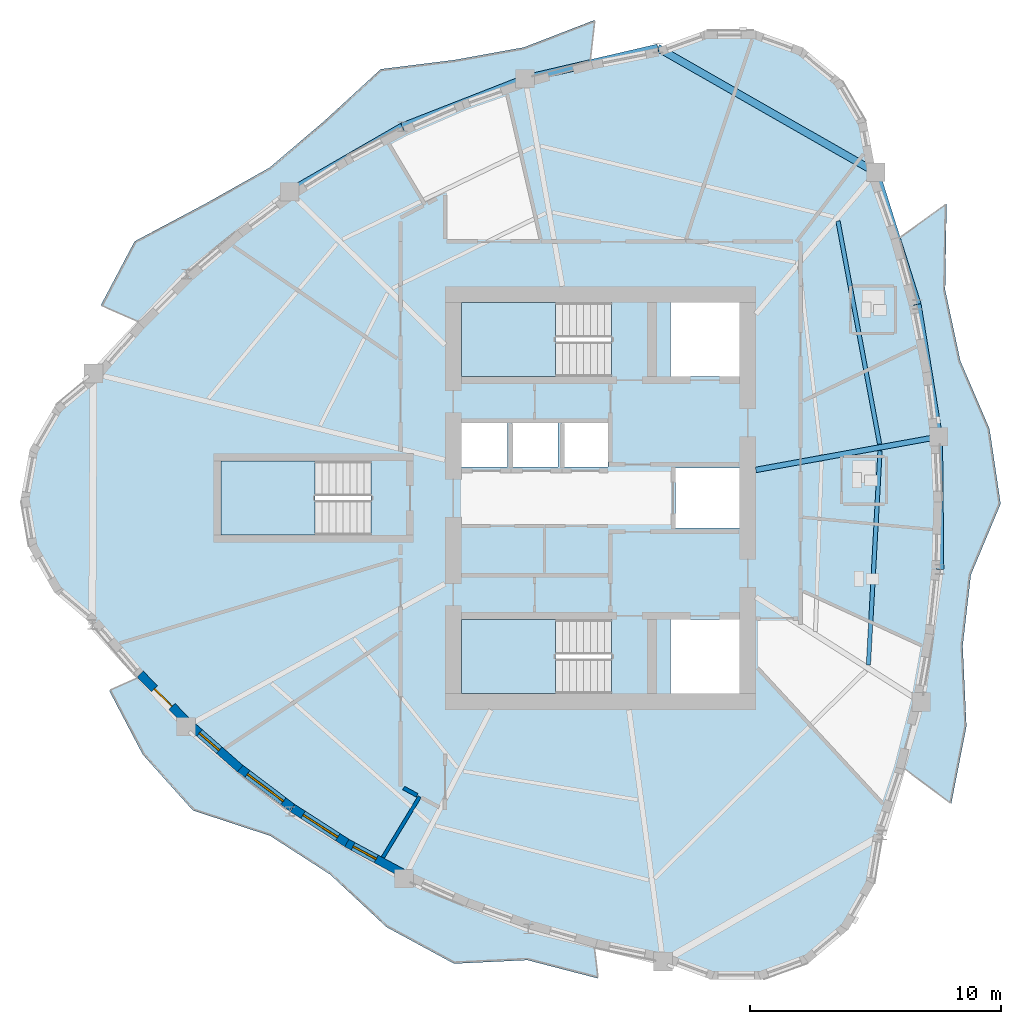
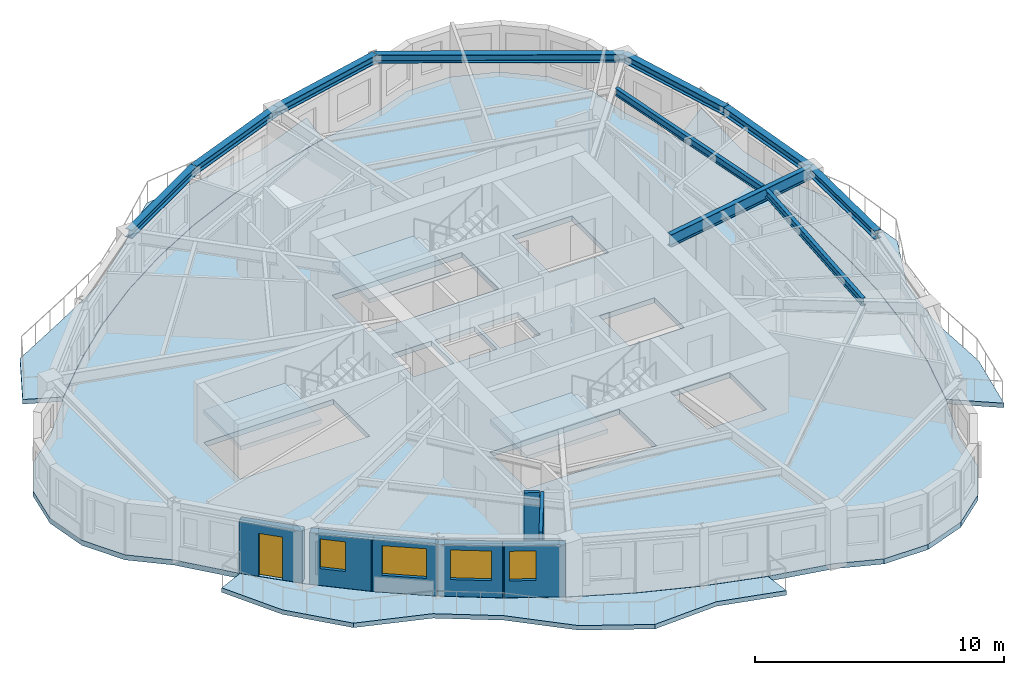
# One storey, part 2 of 12: 10 beams, 7 slabs, 7 walls, 4 windows, 1 door, 5 openings, 3 elements without a shape of their own.
"""IFC4 building model written with IfcOpenShell, lengths in metres."""

from ifc_helpers import new_model, si_unit, direction, frame, frame_2d, origin, origin_2d, place, context, subcontext, project, spatial, polyline, rectangle, i_section, outline, extrude, source, transform, mapped, material, layer, layer_set, material_profile, profile_set, type_object, element, fill, aggregate, save


model = new_model("IFC4")

# Units and contexts
model_context = context("Model", 3, precision=1e-05, world=origin(), true_north=direction((0.0, 1.0)))
body_context = subcontext(model_context, "Body", "Model", "MODEL_VIEW")
ifc_project = project(units=[si_unit("LENGTHUNIT", "METRE"), si_unit("AREAUNIT", "SQUARE_METRE"), si_unit("VOLUMEUNIT", "CUBIC_METRE"), si_unit("PLANEANGLEUNIT", "RADIAN"), si_unit("MASSUNIT", "GRAM", prefix="KILO")], contexts=[model_context])

# Site, building, storey
site_placement = place(None, origin())
site = spatial("IfcSite", under=ifc_project, at=site_placement, CompositionType="ELEMENT")
building_placement = place(site_placement, origin())
building = spatial("IfcBuilding", under=site, at=building_placement, Name="Qafzar Sky-Pleat Residences", CompositionType="ELEMENT")
storey_placement = place(building_placement, frame((0.0, 0.0, 142.60009765625)))
storey = spatial("IfcBuildingStorey", under=building, at=storey_placement, Name="L42", CompositionType="ELEMENT", Elevation=142.60009765625)

# Beams
ifc_material_1 = material(Name="Steel S355", Category="steel")
ifc_material_profile_1 = material_profile(ifc_material_1, i_section(OverallWidth=0.300048828125, OverallDepth=0.39990234375, WebThickness=0.013427734375, FlangeThickness=0.02392578125, FilletRadius=0.027099609375, at=origin_2d()), Name="HEB 400")
ifc_profile_set_1 = profile_set([ifc_material_profile_1], Name="Steel S355")
beam_type_1 = type_object("IfcBeamType", Name="BM-SPAN-HEB400", PredefinedType="SPANDREL", material=ifc_profile_set_1)
shared_shape_1 = source(origin(), body_context, "Body", "SweptSolid", [
    extrude(i_section(OverallWidth=0.300048828125, OverallDepth=0.39990234375, WebThickness=0.013427734375, FlangeThickness=0.02392578125, FilletRadius=0.027099609375, at=origin_2d()), origin(), (0.0, 0.0, 1.0), 10.017822265625),
])
beam_1_placement = place(storey_placement, frame((41.33837890625, 39.002197265625, 2.747802734375), z_axis=(-0.868424551826, 0.495821336558, 0.0), x_axis=(-0.495821336558, -0.868424551826, 0.0)))
element("IfcBeam", 1, at=beam_1_placement, inside=storey, type_object=beam_type_1, Name="L42 Perimeter Spandrel Beam 13", PredefinedType="SPANDREL", context=body_context, shape_type="MappedRepresentation", body=[
    mapped(shared_shape_1, transform((0.0, 0.0, 0.0), x_axis=(1.0, 0.0, 0.0), y_axis=(0.0, 1.0, 0.0), z_axis=(0.0, 0.0, 1.0), scale=1.0)),
])
shared_shape_2 = source(origin(), body_context, "Body", "SweptSolid", [
    extrude(i_section(OverallWidth=0.300048828125, OverallDepth=0.39990234375, WebThickness=0.013427734375, FlangeThickness=0.02392578125, FilletRadius=0.027099609375, at=origin_2d()), origin(), (0.0, 0.0, 1.0), 5.5283203125),
])
beam_2_placement = place(storey_placement, frame((42.997314453125, 33.728759765625, 2.747802734375), z_axis=(-0.300084966568, 0.953912476509, 0.0), x_axis=(-0.953912476509, -0.300084966568, 0.0)))
element("IfcBeam", 2, at=beam_2_placement, inside=storey, type_object=beam_type_1, Name="L42 Perimeter Spandrel Beam 12", PredefinedType="SPANDREL", context=body_context, shape_type="MappedRepresentation", body=[
    mapped(shared_shape_2, transform((0.0, 0.0, 0.0), x_axis=(1.0, 0.0, 0.0), y_axis=(0.0, 1.0, 0.0), z_axis=(0.0, 0.0, 1.0), scale=1.0)),
])
shared_shape_3 = source(origin(), body_context, "Body", "SweptSolid", [
    extrude(i_section(OverallWidth=0.300048828125, OverallDepth=0.39990234375, WebThickness=0.013427734375, FlangeThickness=0.02392578125, FilletRadius=0.027099609375, at=origin_2d()), origin(), (0.0, 0.0, 1.0), 5.289306640625),
])
beam_3_placement = place(storey_placement, frame((43.9033203125, 23.158203125, 2.747802734375), z_axis=(-0.009646892298, 0.999953467652, 0.0), x_axis=(-0.999953467652, -0.009646892298, 0.0)))
element("IfcBeam", 3, at=beam_3_placement, inside=storey, type_object=beam_type_1, Name="L42 Perimeter Spandrel Beam 10", PredefinedType="SPANDREL", context=body_context, shape_type="MappedRepresentation", body=[
    mapped(shared_shape_3, transform((0.0, 0.0, 0.0), x_axis=(1.0, 0.0, 0.0), y_axis=(0.0, 1.0, 0.0), z_axis=(0.0, 0.0, 1.0), scale=1.0)),
])
shared_shape_4 = source(origin(), body_context, "Body", "SweptSolid", [
    extrude(i_section(OverallWidth=0.300048828125, OverallDepth=0.39990234375, WebThickness=0.013427734375, FlangeThickness=0.02392578125, FilletRadius=0.027099609375, at=origin_2d()), origin(), (0.0, 0.0, 1.0), 5.350341796875),
])
beam_4_placement = place(storey_placement, frame((43.852294921875, 28.447265625, 2.747802734375), z_axis=(-0.159801974691, 0.987149091518, 0.0), x_axis=(-0.987149091518, -0.159801974691, 0.0)))
element("IfcBeam", 4, at=beam_4_placement, inside=storey, type_object=beam_type_1, Name="L42 Perimeter Spandrel Beam 11", PredefinedType="SPANDREL", context=body_context, shape_type="MappedRepresentation", body=[
    mapped(shared_shape_4, transform((0.0, 0.0, 0.0), x_axis=(1.0, 0.0, 0.0), y_axis=(0.0, 1.0, 0.0), z_axis=(0.0, 0.0, 1.0), scale=1.0)),
])
shared_shape_5 = source(origin(), body_context, "Body", "SweptSolid", [
    extrude(i_section(OverallWidth=0.300048828125, OverallDepth=0.39990234375, WebThickness=0.013427734375, FlangeThickness=0.02392578125, FilletRadius=0.027099609375, at=origin_2d()), origin(), (0.0, 0.0, 1.0), 5.435791015625),
])
beam_5_placement = place(storey_placement, frame((32.638671875, 43.96923828125, 2.747802734375), z_axis=(-0.974010561903, -0.22650259447, 0.0), x_axis=(0.22650259447, -0.974010561903, 0.0)))
element("IfcBeam", 5, at=beam_5_placement, inside=storey, type_object=beam_type_1, Name="L42 Perimeter Spandrel Beam 14", PredefinedType="SPANDREL", context=body_context, shape_type="MappedRepresentation", body=[
    mapped(shared_shape_5, transform((0.0, 0.0, 0.0), x_axis=(1.0, 0.0, 0.0), y_axis=(0.0, 1.0, 0.0), z_axis=(0.0, 0.0, 1.0), scale=1.0)),
])
shared_shape_6 = source(origin(), body_context, "Body", "SweptSolid", [
    extrude(i_section(OverallWidth=0.300048828125, OverallDepth=0.39990234375, WebThickness=0.013427734375, FlangeThickness=0.02392578125, FilletRadius=0.027099609375, at=origin_2d()), origin(), (0.0, 0.0, 1.0), 5.260498046875),
])
beam_6_placement = place(storey_placement, frame((27.34423828125, 42.738037109375, 2.747802734375), z_axis=(-0.931326294743, -0.364185849148, 0.0), x_axis=(0.364185849148, -0.931326294743, 0.0)))
element("IfcBeam", 6, at=beam_6_placement, inside=storey, type_object=beam_type_1, Name="L42 Perimeter Spandrel Beam 15", PredefinedType="SPANDREL", context=body_context, shape_type="MappedRepresentation", body=[
    mapped(shared_shape_6, transform((0.0, 0.0, 0.0), x_axis=(1.0, 0.0, 0.0), y_axis=(0.0, 1.0, 0.0), z_axis=(0.0, 0.0, 1.0), scale=1.0)),
])
shared_shape_7 = source(origin(), body_context, "Body", "SweptSolid", [
    extrude(i_section(OverallWidth=0.300048828125, OverallDepth=0.39990234375, WebThickness=0.013427734375, FlangeThickness=0.02392578125, FilletRadius=0.027099609375, at=origin_2d()), origin(), (0.0, 0.0, 1.0), 5.200927734375),
])
beam_7_placement = place(storey_placement, frame((22.445068359375, 40.822265625, 2.747802734375), z_axis=(-0.866036280653, -0.499981160238, 0.0), x_axis=(0.499981160238, -0.866036280653, 0.0)))
element("IfcBeam", 7, at=beam_7_placement, inside=storey, type_object=beam_type_1, Name="L42 Perimeter Spandrel Beam 16", PredefinedType="SPANDREL", context=body_context, shape_type="MappedRepresentation", body=[
    mapped(shared_shape_7, transform((0.0, 0.0, 0.0), x_axis=(1.0, 0.0, 0.0), y_axis=(0.0, 1.0, 0.0), z_axis=(0.0, 0.0, 1.0), scale=1.0)),
])
ifc_material_profile_2 = material_profile(ifc_material_1, i_section(OverallWidth=0.219970703125, OverallDepth=0.60009765625, WebThickness=0.011962890625, FlangeThickness=0.01904296875, FilletRadius=0.02392578125, at=origin_2d()), Name="IPE 600")
ifc_profile_set_2 = profile_set([ifc_material_profile_2], Name="Steel S355")
beam_type_2 = type_object("IfcBeamType", Name="BM-SEC-IPE600", PredefinedType="BEAM", material=ifc_profile_set_2)
shared_shape_8 = source(origin(), body_context, "Body", "SweptSolid", [
    extrude(i_section(OverallWidth=0.219970703125, OverallDepth=0.60009765625, WebThickness=0.011962890625, FlangeThickness=0.01904296875, FilletRadius=0.02392578125, at=origin_2d()), origin(), (0.0, 0.0, 1.0), 7.421142578125),
])
beam_8_placement = place(storey_placement, frame((43.852294921875, 28.447265625, 2.64794921875), z_axis=(-0.983969240504, -0.178338256529, 0.0), x_axis=(0.178338256529, -0.983969240504, 0.0)))
element("IfcBeam", 8, at=beam_8_placement, inside=storey, type_object=beam_type_2, Name="L42 Radial Floor Girder 11", PredefinedType="BEAM", context=body_context, shape_type="MappedRepresentation", body=[
    mapped(shared_shape_8, transform((0.0, 0.0, 0.0), x_axis=(1.0, 0.0, 0.0), y_axis=(0.0, 1.0, 0.0), z_axis=(0.0, 0.0, 1.0), scale=1.0)),
])
ifc_material_profile_3 = material_profile(ifc_material_1, i_section(OverallWidth=0.169921875, OverallDepth=0.360107421875, WebThickness=0.008056640625, FlangeThickness=0.0126953125, FilletRadius=0.01806640625, at=origin_2d()), Name="IPE 360")
ifc_profile_set_3 = profile_set([ifc_material_profile_3], Name="Steel S355")
beam_type_3 = type_object("IfcBeamType", Name="BM-JST-IPE360", PredefinedType="JOIST", material=ifc_profile_set_3)
shared_shape_9 = source(origin(), body_context, "Body", "SweptSolid", [
    extrude(i_section(OverallWidth=0.169921875, OverallDepth=0.360107421875, WebThickness=0.008056640625, FlangeThickness=0.0126953125, FilletRadius=0.01806640625, at=origin_2d()), origin(), (0.0, 0.0, 1.0), 8.562255859375),
])
beam_9_placement = place(storey_placement, frame((41.04541015625, 19.339111328125, 2.767822265625), z_axis=(0.054061317053, 0.998537617718, 0.0), x_axis=(-0.998537617718, 0.054061317053, 0.0)))
element("IfcBeam", 9, at=beam_9_placement, inside=storey, type_object=beam_type_3, Name="L42 Outer Secondary Floor Joist 5", PredefinedType="JOIST", context=body_context, shape_type="MappedRepresentation", body=[
    mapped(shared_shape_9, transform((0.0, 0.0, 0.0), x_axis=(1.0, 0.0, 0.0), y_axis=(0.0, 1.0, 0.0), z_axis=(0.0, 0.0, 1.0), scale=1.0)),
])
shared_shape_10 = source(origin(), body_context, "Body", "SweptSolid", [
    extrude(i_section(OverallWidth=0.169921875, OverallDepth=0.360107421875, WebThickness=0.008056640625, FlangeThickness=0.0126953125, FilletRadius=0.01806640625, at=origin_2d()), origin(), (0.0, 0.0, 1.0), 9.053466796875),
])
beam_10_placement = place(storey_placement, frame((41.49072265625, 28.156494140625, 2.767822265625), z_axis=(-0.18334735969, 0.983048190932, 0.0), x_axis=(-0.983048190932, -0.18334735969, 0.0)))
element("IfcBeam", 10, at=beam_10_placement, inside=storey, type_object=beam_type_3, Name="L42 Outer Secondary Floor Joist 6", PredefinedType="JOIST", context=body_context, shape_type="MappedRepresentation", body=[
    mapped(shared_shape_10, transform((0.0, 0.0, 0.0), x_axis=(1.0, 0.0, 0.0), y_axis=(0.0, 1.0, 0.0), z_axis=(0.0, 0.0, 1.0), scale=1.0)),
])

# Slabs
ifc_material_2 = material(Name="Concrete C40/50", Category="concrete")
ifc_layer_1 = layer(ifc_material_2, 0.219970703125)
ifc_layer_set_1 = layer_set([ifc_layer_1], Name="Concrete C40/50")
slab_type_1 = type_object("IfcSlabType", Name="SLAB-BAL-220", PredefinedType="USERDEFINED", material=ifc_layer_set_1)
slab_1_placement = place(storey_placement, frame((0.0, 0.0, -0.22021484375)))
element("IfcSlab", 11, at=slab_1_placement, inside=storey, type_object=slab_type_1, Name="L42 Pleated Stone Balcony 1", ObjectType="BALCONY", PredefinedType="USERDEFINED", context=body_context, shape_type="SweptSolid", body=[
    extrude(outline(polyline([(43.160888671875, 17.855712890625), (43.638427734375, 20.5068359375), (43.9150390625, 23.15625), (43.990234375, 25.8037109375), (43.864013671875, 28.44921875), (43.53662109375, 31.0927734375), (43.0078125, 33.734130859375), (42.278076171875, 36.37353515625), (44.163818359375, 37.743408203125), (44.1083984375, 34.30126953125), (44.712890625, 31.478515625), (45.878173828125, 28.760009765625), (46.32080078125, 25.77490234375), (45.1337890625, 22.9384765625), (44.806640625, 20.096435546875), (44.956298828125, 16.891357421875), (44.3505859375, 13.809814453125), (42.48193359375, 15.202880859375), (43.160888671875, 17.855712890625)])), origin(), (0.0, 0.0, 1.0), 0.22021484375),
])
slab_2_placement = place(storey_placement, frame((0.0, 0.0, -0.22021484375)))
element("IfcSlab", 12, at=slab_2_placement, inside=storey, type_object=slab_type_1, Name="L42 Pleated Stone Balcony 2", ObjectType="BALCONY", PredefinedType="USERDEFINED", context=body_context, shape_type="SweptSolid", body=[
    extrude(outline(polyline([(27.34375, 42.75), (24.8427734375, 41.877685546875), (22.44091796875, 40.83349609375), (20.1376953125, 39.6181640625), (17.933349609375, 38.231201171875), (15.828369140625, 36.673095703125), (13.822265625, 34.943359375), (11.915283203125, 33.04248046875), (10.414794921875, 33.69970703125), (11.760009765625, 36.244140625), (14.5966796875, 37.7529296875), (17.146728515625, 39.187255859375), (19.318603515625, 41.03662109375), (21.585205078125, 43.116455078125), (24.523193359375, 43.484130859375), (27.29541015625, 43.987060546875), (30.12451171875, 45.0791015625), (29.943359375, 43.451171875), (27.34375, 42.75)])), origin(), (0.0, 0.0, 1.0), 0.22021484375),
])
slab_3_placement = place(storey_placement, frame((0.0, 0.0, -0.22021484375)))
element("IfcSlab", 13, at=slab_3_placement, inside=storey, type_object=slab_type_1, Name="L42 Pleated Stone Balcony 3", ObjectType="BALCONY", PredefinedType="USERDEFINED", context=body_context, shape_type="SweptSolid", body=[
    extrude(outline(polyline([(13.798095703125, 16.869873046875), (15.8212890625, 15.09130859375), (17.947021484375, 13.48583984375), (20.1748046875, 12.053955078125), (22.50537109375, 10.79541015625), (24.93798828125, 9.710205078125), (27.47265625, 8.798095703125), (30.109619140625, 8.059814453125), (30.254150390625, 6.830322265625), (27.434814453125, 7.560791015625), (24.50732421875, 7.41943359375), (21.812744140625, 8.878662109375), (19.569091796875, 10.974365234375), (17.17138671875, 12.520751953125), (14.085205078125, 13.5361328125), (12.083740234375, 15.767822265625), (10.746337890625, 18.318115234375), (11.877197265625, 18.821533203125), (13.798095703125, 16.869873046875)])), origin(), (0.0, 0.0, 1.0), 0.22021484375),
])
ifc_layer_2 = layer(ifc_material_2, 0.25)
ifc_layer_set_2 = layer_set([ifc_layer_2], Name="Concrete C40/50")
slab_type_2 = type_object("IfcSlabType", Name="SLAB-FLR-250", PredefinedType="FLOOR", material=ifc_layer_set_2)
slab_4_placement = place(storey_placement, frame((0.0, 0.0, -0.25)))
element("IfcSlab", 14, at=slab_4_placement, inside=storey, type_object=slab_type_2, Name="L42 Structural Floor Slab", PredefinedType="FLOOR", context=body_context, shape_type="SweptSolid", body=[
    extrude(outline(polyline([(10.118896484375, 30.967529296875), (8.581787109375, 29.6796875), (7.5751953125, 27.94580078125), (7.218994140625, 25.972412109375), (7.555908203125, 23.995849609375), (8.5458984375, 22.252197265625), (10.070556640625, 20.94970703125), (11.88818359375, 18.826416015625), (13.80810546875, 16.87646484375), (15.830078125, 15.099365234375), (17.954345703125, 13.495361328125), (20.180908203125, 12.064453125), (22.509521484375, 10.806640625), (24.940185546875, 9.721923828125), (27.472900390625, 8.810302734375), (30.108154296875, 8.07177734375), (32.845458984375, 7.506103515625), (34.749755859375, 6.795654296875), (36.782470703125, 6.785888671875), (38.693603515625, 7.47802734375), (40.248779296875, 8.787109375), (41.256591796875, 10.55224609375), (41.593505859375, 12.556884765625), (42.472412109375, 15.210205078125), (43.150390625, 17.861572265625), (43.627197265625, 20.5107421875), (43.9033203125, 23.158203125), (43.978271484375, 25.8037109375), (43.852294921875, 28.447265625), (43.525146484375, 31.089111328125), (42.997314453125, 33.728759765625), (42.268310546875, 36.366455078125), (41.33837890625, 39.002197265625), (40.97265625, 40.9736328125), (39.95751953125, 42.702880859375), (38.414306640625, 43.983154296875), (36.52734375, 44.661376953125), (34.522216796875, 44.656494140625), (32.638671875, 43.96923828125), (29.94189453125, 43.439208984375), (27.34423828125, 42.738037109375), (24.84521484375, 41.86572265625), (22.445068359375, 40.822265625), (20.1435546875, 39.607666015625), (17.94091796875, 38.221923828125), (15.83740234375, 36.6650390625), (13.832275390625, 34.93701171875), (11.92626953125, 33.037841796875), (10.118896484375, 30.967529296875)]), holes=[polyline([(30.797119140625, 21.14990234375), (24.800048828125, 21.14990234375), (24.800048828125, 18.199951171875), (30.797119140625, 18.199951171875), (30.797119140625, 21.14990234375)]), polyline([(30.797119140625, 33.800048828125), (24.800048828125, 33.800048828125), (24.800048828125, 30.85009765625), (30.797119140625, 30.85009765625), (30.797119140625, 33.800048828125)]), polyline([(21.197021484375, 27.47509765625), (15.199951171875, 27.47509765625), (15.199951171875, 24.52490234375), (21.197021484375, 24.52490234375), (21.197021484375, 27.47509765625)]), polyline([(24.800048828125, 27.25), (26.64990234375, 27.25), (26.64990234375, 29.050048828125), (24.800048828125, 29.050048828125), (24.800048828125, 27.25)]), polyline([(26.800048828125, 27.25), (28.64990234375, 27.25), (28.64990234375, 29.050048828125), (26.800048828125, 29.050048828125), (26.800048828125, 27.25)]), polyline([(28.800048828125, 27.25), (30.64990234375, 27.25), (30.64990234375, 29.050048828125), (28.800048828125, 29.050048828125), (28.800048828125, 27.25)]), polyline([(33.14990234375, 18.199951171875), (35.89990234375, 18.199951171875), (35.89990234375, 21.14990234375), (33.14990234375, 21.14990234375), (33.14990234375, 18.199951171875)]), polyline([(33.14990234375, 30.85009765625), (35.89990234375, 30.85009765625), (35.89990234375, 33.800048828125), (33.14990234375, 33.800048828125), (33.14990234375, 30.85009765625)]), polyline([(33.35009765625, 24.800048828125), (35.89990234375, 24.800048828125), (35.89990234375, 27.199951171875), (33.35009765625, 27.199951171875), (33.35009765625, 24.800048828125)])]), origin(), (0.0, 0.0, 1.0), 0.25),
])

# Stair, slab
stair_type = type_object("IfcStairType", Name="STAIR-H320", PredefinedType="HALF_TURN_STAIR", material=ifc_material_2)
stair_1_placement = place(storey_placement, origin())
stair_1 = element("IfcStair", 15, at=stair_1_placement, inside=storey, type_object=stair_type, Name="L42 Protected Exit Stair ST1", PredefinedType="HALF_TURN_STAIR")
ifc_layer_3 = layer(ifc_material_2, 0.199951171875)
ifc_layer_set_3 = layer_set([ifc_layer_3], Name="Concrete C40/50")
slab_type_3 = type_object("IfcSlabType", Name="SLAB-LANDING-200", PredefinedType="LANDING", material=ifc_layer_set_3)
slab_5_placement = place(storey_placement, frame((0.0, 0.0, 1.39990234375)))
slab_5 = element("IfcSlab", 16, at=slab_5_placement, type_object=slab_type_3, Name="ST1 landing 1", PredefinedType="LANDING", context=body_context, shape_type="SweptSolid", body=[
    extrude(outline(polyline([(28.56005859375, 21.14990234375), (24.800048828125, 21.14990234375), (24.800048828125, 18.199951171875), (28.56005859375, 18.199951171875), (28.56005859375, 21.14990234375)])), origin(), (0.0, 0.0, 1.0), 0.199951171875),
])
aggregate(stair_1, [slab_5])

stair_2_placement = place(storey_placement, origin())
stair_2 = element("IfcStair", 17, at=stair_2_placement, inside=storey, type_object=stair_type, Name="L42 Protected Exit Stair ST2", PredefinedType="HALF_TURN_STAIR")
slab_6_placement = place(storey_placement, frame((0.0, 0.0, 1.39990234375)))
slab_6 = element("IfcSlab", 18, at=slab_6_placement, type_object=slab_type_3, Name="ST2 landing 1", PredefinedType="LANDING", context=body_context, shape_type="SweptSolid", body=[
    extrude(outline(polyline([(28.56005859375, 33.800048828125), (24.800048828125, 33.800048828125), (24.800048828125, 30.85009765625), (28.56005859375, 30.85009765625), (28.56005859375, 33.800048828125)])), origin(), (0.0, 0.0, 1.0), 0.199951171875),
])
aggregate(stair_2, [slab_6])

stair_3_placement = place(storey_placement, origin())
stair_3 = element("IfcStair", 19, at=stair_3_placement, inside=storey, type_object=stair_type, Name="L42 Protected Exit Stair ST3", PredefinedType="HALF_TURN_STAIR")
slab_7_placement = place(storey_placement, frame((0.0, 0.0, 1.39990234375)))
slab_7 = element("IfcSlab", 20, at=slab_7_placement, type_object=slab_type_3, Name="ST3 landing 1", PredefinedType="LANDING", context=body_context, shape_type="SweptSolid", body=[
    extrude(outline(polyline([(18.9599609375, 27.47509765625), (15.199951171875, 27.47509765625), (15.199951171875, 24.52490234375), (18.9599609375, 24.52490234375), (18.9599609375, 27.47509765625)])), origin(), (0.0, 0.0, 1.0), 0.199951171875),
])
aggregate(stair_3, [slab_7])

# Walls
ifc_material_3 = material(Name="Acoustic gypsum plasterboard partition", Category="gypsum")
ifc_layer_4 = layer(ifc_material_3, 0.159912109375)
ifc_layer_set_4 = layer_set([ifc_layer_4], Name="Acoustic gypsum plasterboard partition")
wall_type_1 = type_object("IfcWallType", Name="PART-COR-160", PredefinedType="PARTITIONING", material=ifc_layer_set_4)
wall_1_placement = place(storey_placement, frame((22.4951171875, 14.428466796875, 0.0), z_axis=(0.0, 0.0, 1.0), x_axis=(0.880048601236, -0.474883627285, 0.0)))
element("IfcWall", 21, at=wall_1_placement, inside=storey, type_object=wall_type_1, Name="L42 Partition Wall PART-L42-PW-041", PredefinedType="PARTITIONING", context=body_context, shape_type="SweptSolid", body=[
    extrude(rectangle(XDim=0.61279296875, YDim=0.159912109375, at=frame_2d((0.306396484375, 0.0))), origin(), (0.0, 0.0, 1.0), 2.949951171875),
])
ifc_layer_5 = layer(ifc_material_3, 0.14501953125)
ifc_layer_set_5 = layer_set([ifc_layer_5], Name="Acoustic gypsum plasterboard partition")
wall_type_2 = type_object("IfcWallType", Name="PART-UNIT-145", PredefinedType="PARTITIONING", material=ifc_layer_set_5)
wall_2_placement = place(storey_placement, frame((21.668212890625, 11.660400390625, 0.0), z_axis=(0.0, 0.0, 1.0), x_axis=(0.517927198926, 0.855424699557, 0.0)))
element("IfcWall", 22, at=wall_2_placement, inside=storey, type_object=wall_type_2, Name="L42 Partition Wall PART-L42-PW-026", PredefinedType="PARTITIONING", context=body_context, shape_type="SweptSolid", body=[
    extrude(rectangle(XDim=2.83203125, YDim=0.14501953125, at=frame_2d((1.416015625, 0.0))), origin(), (0.0, 0.0, 1.0), 2.949951171875),
])

# Wall, opening, door
ifc_material_4 = material(Name="Precast concrete C40/50 with honed Riyadh limestone", Category="concrete")
ifc_layer_6 = layer(ifc_material_4, 0.340087890625)
ifc_layer_set_6 = layer_set([ifc_layer_6], Name="Precast concrete C40/50 with honed Riyadh limestone")
wall_type_3 = type_object("IfcWallType", Name="WALL-EXT-340", PredefinedType="SOLIDWALL", material=ifc_layer_set_6)
wall_3_placement = place(storey_placement, frame((11.98291015625, 18.972900390625, 0.0), z_axis=(0.0, 0.0, 1.0), x_axis=(0.701539452628, -0.712630617084, 0.0)))
wall_3 = element("IfcWall", 23, at=wall_3_placement, inside=storey, type_object=wall_type_3, Name="L42 Limestone Facade Wall 8", PredefinedType="SOLIDWALL", context=body_context, shape_type="SweptSolid", body=[
    extrude(rectangle(XDim=2.619384765625, YDim=0.340087890625, at=frame_2d((1.3095703125, 0.0))), origin(), (0.0, 0.0, 1.0), 2.52978515625),
])
opening_1_placement = place(wall_3_placement, frame((0.809814453125, 0.0, 0.0)))
opening_1 = element("IfcOpeningElement", 24, at=opening_1_placement, cuts=wall_3, Name="Opening ED-05", PredefinedType="OPENING", context=body_context, shape_type="SweptSolid", body=[
    extrude(rectangle(XDim=1.0, YDim=2.10009765625, at=frame_2d((0.5, 1.050048828125))), frame((0.0, 0.18017578125, 0.0), z_axis=(0.0, -1.0, 0.0), x_axis=(1.0, 0.0, 0.0)), (0.0, 0.0, 1.0), 0.360107421875),
])
ifc_material_5 = material(Name="Glazed bronze aluminium door", Category="aluminium")
door_type = type_object("IfcDoorType", Name="DR-BAL-1000", OperationType="NOTDEFINED", PredefinedType="DOOR", material=ifc_material_5)
shared_shape_11 = source(origin(), body_context, "Body", "SweptSolid", [
    extrude(rectangle(XDim=1.0, YDim=2.10009765625, at=frame_2d((0.5, 1.050048828125))), frame((0.0, 0.02490234375, 0.0), z_axis=(0.0, -1.0, 0.0), x_axis=(1.0, 0.0, 0.0)), (0.0, 0.0, 1.0), 0.050048828125),
])
door_placement = place(opening_1_placement, origin())
door = element("IfcDoor", 25, at=door_placement, inside=storey, type_object=door_type, Name="L42 Glazed Balcony Door 3", OperationType="SINGLE_SWING_LEFT", OverallHeight=2.10009765625, OverallWidth=1.0, PredefinedType="DOOR", context=body_context, shape_type="MappedRepresentation", body=[
    mapped(shared_shape_11, transform((0.0, 0.0, 0.0), x_axis=(1.0, 0.0, 0.0), y_axis=(0.0, 1.0, 0.0), z_axis=(0.0, 0.0, 1.0), scale=1.0)),
])
fill(opening_1, door)

# Wall, opening, window
wall_4_placement = place(storey_placement, frame((14.036865234375, 16.90185546875, 0.0), z_axis=(0.0, 0.0, 1.0), x_axis=(0.751106484969, -0.66018107231, 0.0)))
wall_4 = element("IfcWall", 26, at=wall_4_placement, inside=storey, type_object=wall_type_3, Name="L42 Limestone Facade Wall 9", PredefinedType="SOLIDWALL", context=body_context, shape_type="SweptSolid", body=[
    extrude(rectangle(XDim=2.574951171875, YDim=0.340087890625, at=frame_2d((1.28759765625, 0.0))), origin(), (0.0, 0.0, 1.0), 2.52978515625),
])
opening_2_placement = place(wall_4_placement, frame((0.416259765625, 0.0, 0.820068359375)))
opening_2 = element("IfcOpeningElement", 27, at=opening_2_placement, cuts=wall_4, Name="Opening WN-06", PredefinedType="OPENING", context=body_context, shape_type="SweptSolid", body=[
    extrude(rectangle(XDim=1.050048828125, YDim=1.449951171875, at=frame_2d((0.52490234375, 0.72509765625))), frame((0.0, 0.18017578125, 0.0), z_axis=(0.0, -1.0, 0.0), x_axis=(1.0, 0.0, 0.0)), (0.0, 0.0, 1.0), 0.360107421875),
])
ifc_material_6 = material(Name="Solar-control low-E glass in bronze aluminium frame", Category="glass")
window_type_1 = type_object("IfcWindowType", Name="WIN-06", PartitioningType="SINGLE_PANEL", PredefinedType="WINDOW", material=ifc_material_6)
shared_shape_12 = source(origin(), body_context, "Body", "SweptSolid", [
    extrude(rectangle(XDim=1.050048828125, YDim=1.449951171875, at=frame_2d((0.52490234375, 0.72509765625))), frame((0.0, 0.030029296875, 0.0), z_axis=(0.0, -1.0, 0.0), x_axis=(1.0, 0.0, 0.0)), (0.0, 0.0, 1.0), 0.06005859375),
])
window_1_placement = place(opening_2_placement, origin())
window_1 = element("IfcWindow", 28, at=window_1_placement, inside=storey, type_object=window_type_1, Name="L42 Punched Facade Window 09", OverallHeight=1.449951171875, OverallWidth=1.050048828125, PartitioningType="SINGLE_PANEL", PredefinedType="WINDOW", context=body_context, shape_type="MappedRepresentation", body=[
    mapped(shared_shape_12, transform((0.0, 0.0, 0.0), x_axis=(1.0, 0.0, 0.0), y_axis=(0.0, 1.0, 0.0), z_axis=(0.0, 0.0, 1.0), scale=1.0)),
])
fill(opening_2, window_1)

wall_5_placement = place(storey_placement, frame((15.90234375, 15.2578125, 0.0), z_axis=(0.0, 0.0, 1.0), x_axis=(0.798071768164, -0.60256240578, 0.0)))
wall_5 = element("IfcWall", 29, at=wall_5_placement, inside=storey, type_object=wall_type_3, Name="L42 Limestone Facade Wall 10", PredefinedType="SOLIDWALL", context=body_context, shape_type="SweptSolid", body=[
    extrude(rectangle(XDim=2.6796875, YDim=0.340087890625, at=frame_2d((1.33984375, 0.0))), origin(), (0.0, 0.0, 1.0), 2.52978515625),
])
opening_3_placement = place(wall_5_placement, frame((0.449951171875, 0.0, 0.820068359375)))
opening_3 = element("IfcOpeningElement", 30, at=opening_3_placement, cuts=wall_5, Name="Opening WN-01", PredefinedType="OPENING", context=body_context, shape_type="SweptSolid", body=[
    extrude(rectangle(XDim=1.800048828125, YDim=1.449951171875, at=frame_2d((0.89990234375, 0.72509765625))), frame((0.0, 0.18017578125, 0.0), z_axis=(0.0, -1.0, 0.0), x_axis=(1.0, 0.0, 0.0)), (0.0, 0.0, 1.0), 0.360107421875),
])
window_type_2 = type_object("IfcWindowType", Name="WIN-01", PartitioningType="DOUBLE_PANEL_VERTICAL", PredefinedType="WINDOW", material=ifc_material_6)
shared_shape_13 = source(origin(), body_context, "Body", "SweptSolid", [
    extrude(rectangle(XDim=1.800048828125, YDim=1.449951171875, at=frame_2d((0.89990234375, 0.72509765625))), frame((0.0, 0.030029296875, 0.0), z_axis=(0.0, -1.0, 0.0), x_axis=(1.0, 0.0, 0.0)), (0.0, 0.0, 1.0), 0.06005859375),
])
window_2_placement = place(opening_3_placement, origin())
window_2 = element("IfcWindow", 31, at=window_2_placement, inside=storey, type_object=window_type_2, Name="L42 Punched Facade Window 10", OverallHeight=1.449951171875, OverallWidth=1.800048828125, PartitioningType="SINGLE_PANEL", PredefinedType="WINDOW", context=body_context, shape_type="MappedRepresentation", body=[
    mapped(shared_shape_13, transform((0.0, 0.0, 0.0), x_axis=(1.0, 0.0, 0.0), y_axis=(0.0, 1.0, 0.0), z_axis=(0.0, 0.0, 1.0), scale=1.0)),
])
fill(opening_3, window_2)

wall_6_placement = place(storey_placement, frame((18.06298828125, 13.62744140625, 0.0), z_axis=(0.0, 0.0, 1.0), x_axis=(0.841291581189, -0.540581608475, 0.0)))
wall_6 = element("IfcWall", 32, at=wall_6_placement, inside=storey, type_object=wall_type_3, Name="L42 Limestone Facade Wall 11", PredefinedType="SOLIDWALL", context=body_context, shape_type="SweptSolid", body=[
    extrude(rectangle(XDim=2.66455078125, YDim=0.340087890625, at=frame_2d((1.332275390625, 0.0))), origin(), (0.0, 0.0, 1.0), 2.52978515625),
])
opening_4_placement = place(wall_6_placement, frame((0.497314453125, 0.0, 0.820068359375)))
opening_4 = element("IfcOpeningElement", 33, at=opening_4_placement, cuts=wall_6, Name="Opening WN-02", PredefinedType="OPENING", context=body_context, shape_type="SweptSolid", body=[
    extrude(rectangle(XDim=1.64990234375, YDim=1.449951171875, at=frame_2d((0.824951171875, 0.72509765625))), frame((0.0, 0.18017578125, 0.0), z_axis=(0.0, -1.0, 0.0), x_axis=(1.0, 0.0, 0.0)), (0.0, 0.0, 1.0), 0.360107421875),
])
window_type_3 = type_object("IfcWindowType", Name="WIN-02", PartitioningType="DOUBLE_PANEL_VERTICAL", PredefinedType="WINDOW", material=ifc_material_6)
shared_shape_14 = source(origin(), body_context, "Body", "SweptSolid", [
    extrude(rectangle(XDim=1.64990234375, YDim=1.449951171875, at=frame_2d((0.824951171875, 0.72509765625))), frame((0.0, 0.030029296875, 0.0), z_axis=(0.0, -1.0, 0.0), x_axis=(1.0, 0.0, 0.0)), (0.0, 0.0, 1.0), 0.06005859375),
])
window_3_placement = place(opening_4_placement, origin())
window_3 = element("IfcWindow", 34, at=window_3_placement, inside=storey, type_object=window_type_3, Name="L42 Punched Facade Window 11", OverallHeight=1.449951171875, OverallWidth=1.64990234375, PartitioningType="SINGLE_PANEL", PredefinedType="WINDOW", context=body_context, shape_type="MappedRepresentation", body=[
    mapped(shared_shape_14, transform((0.0, 0.0, 0.0), x_axis=(1.0, 0.0, 0.0), y_axis=(0.0, 1.0, 0.0), z_axis=(0.0, 0.0, 1.0), scale=1.0)),
])
fill(opening_4, window_3)

wall_7_placement = place(storey_placement, frame((20.228271484375, 12.23193359375, 0.0), z_axis=(0.0, 0.0, 1.0), x_axis=(0.879850512407, -0.47525054005, 0.0)))
wall_7 = element("IfcWall", 35, at=wall_7_placement, inside=storey, type_object=wall_type_3, Name="L42 Limestone Facade Wall 12", PredefinedType="SOLIDWALL", context=body_context, shape_type="SweptSolid", body=[
    extrude(rectangle(XDim=2.529541015625, YDim=0.340087890625, at=frame_2d((1.2646484375, 0.0))), origin(), (0.0, 0.0, 1.0), 2.52978515625),
])
opening_5_placement = place(wall_7_placement, frame((0.28369140625, 0.0, 0.820068359375)))
opening_5 = element("IfcOpeningElement", 36, at=opening_5_placement, cuts=wall_7, Name="Opening WN-06", PredefinedType="OPENING", context=body_context, shape_type="SweptSolid", body=[
    extrude(rectangle(XDim=1.050048828125, YDim=1.449951171875, at=frame_2d((0.52490234375, 0.72509765625))), frame((0.0, 0.18017578125, 0.0), z_axis=(0.0, -1.0, 0.0), x_axis=(1.0, 0.0, 0.0)), (0.0, 0.0, 1.0), 0.360107421875),
])
window_4_placement = place(opening_5_placement, origin())
window_4 = element("IfcWindow", 37, at=window_4_placement, inside=storey, type_object=window_type_1, Name="L42 Punched Facade Window 12", OverallHeight=1.449951171875, OverallWidth=1.050048828125, PartitioningType="SINGLE_PANEL", PredefinedType="WINDOW", context=body_context, shape_type="MappedRepresentation", body=[
    mapped(shared_shape_12, transform((0.0, 0.0, 0.0), x_axis=(1.0, 0.0, 0.0), y_axis=(0.0, 1.0, 0.0), z_axis=(0.0, 0.0, 1.0), scale=1.0)),
])
fill(opening_5, window_4)

save(model, "model.ifc")
